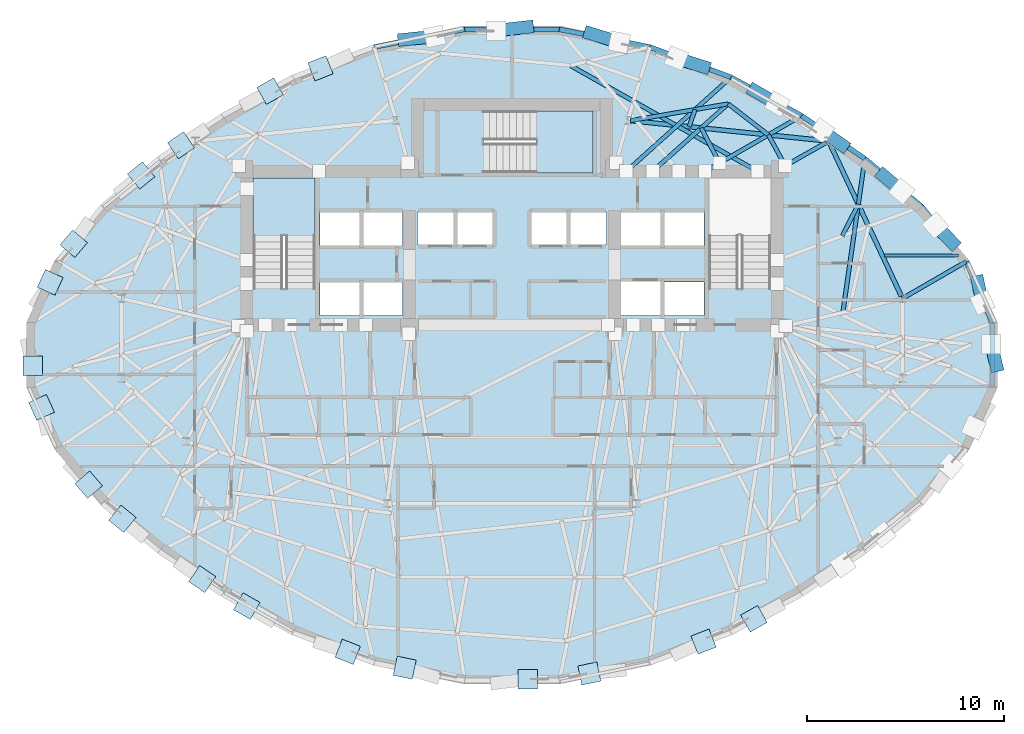
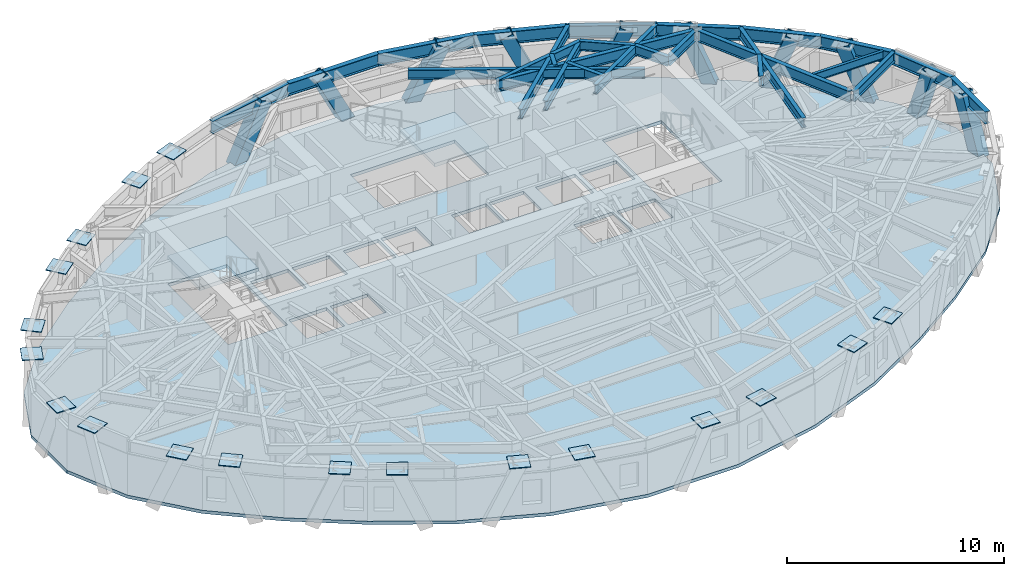
# One storey, part 4 of 14: 26 beams, 18 plates, 10 members, 3 slabs, 2 elements without a shape of their own.
"""IFC4 building model written with IfcOpenShell, lengths in metres."""

from ifc_helpers import new_model, si_unit, direction, frame, origin, origin_2d, place, context, subcontext, project, spatial, polyline, rectangle, hollow_rectangle, i_section, outline, extrude, material, layer, layer_set, material_profile, profile_set, type_object, element, aggregate, save


model = new_model("IFC4")

# Units and contexts
model_context = context("Model", 3, precision=1e-05, world=origin(), true_north=direction((0.0, 1.0)))
body_context = subcontext(model_context, "Body", "Model", "MODEL_VIEW")
ifc_project = project(units=[si_unit("LENGTHUNIT", "METRE"), si_unit("AREAUNIT", "SQUARE_METRE"), si_unit("VOLUMEUNIT", "CUBIC_METRE"), si_unit("PLANEANGLEUNIT", "RADIAN"), si_unit("MASSUNIT", "GRAM", prefix="KILO")], contexts=[model_context])

# Site, building, storey
site_placement = place(None, origin())
site = spatial("IfcSite", under=ifc_project, at=site_placement, CompositionType="ELEMENT")
building_placement = place(site_placement, origin())
building = spatial("IfcBuilding", under=site, at=building_placement, Name="Keldmark Tower", CompositionType="ELEMENT")
storey_placement = place(building_placement, frame((0.0, 0.0, 188.60009765625)))
storey = spatial("IfcBuildingStorey", under=building, at=storey_placement, Name="L52", CompositionType="ELEMENT", Elevation=188.60009765625)

# Beam
ifc_material_1 = material(Name="Steel ASTM A992 Grade 50", Category="steel")
ifc_material_profile_1 = material_profile(ifc_material_1, i_section(OverallWidth=0.153076171875, OverallDepth=0.455078125, WebThickness=0.008056640625, FlangeThickness=0.01318359375, at=origin_2d()), Name="W18X40")
ifc_profile_set_1 = profile_set([ifc_material_profile_1], Name="Steel ASTM A992 Grade 50")
beam_type_1 = type_object("IfcBeamType", Name="Composite Floor Joist W18X40", PredefinedType="JOIST", material=ifc_profile_set_1)
beam_1_placement = place(storey_placement, frame((18.927734375, 5.0400390625, 2.79248046875), z_axis=(1.0, 0.0, 0.0), x_axis=(0.0, 1.0, 0.0)))
element("IfcBeam", 1, at=beam_1_placement, inside=storey, type_object=beam_type_1, Name="L52 Composite Floor Joist J06", PredefinedType="JOIST", context=body_context, shape_type="SweptSolid", body=[
    extrude(i_section(OverallWidth=0.153076171875, OverallDepth=0.455078125, WebThickness=0.008056640625, FlangeThickness=0.01318359375, at=origin_2d()), origin(), (0.0, 0.0, 1.0), 3.74560546875),
])

# Members
ifc_material_2 = material(Name="Steel ASTM A572 Grade 50", Category="steel")
ifc_material_profile_2 = material_profile(ifc_material_2, hollow_rectangle(XDim=0.64990234375, YDim=0.64990234375, WallThickness=0.0400390625, at=origin_2d()), Name="BOX650X650X40")
ifc_profile_set_2 = profile_set([ifc_material_profile_2], Name="Steel ASTM A572 Grade 50")
member_type = type_object("IfcMemberType", Name="Diagrid Zone 3 Brace BOX650X650X40", PredefinedType="BRACE", material=ifc_profile_set_2)
member_1_placement = place(storey_placement, frame((23.652587890625, 3.72900390625, -0.260009765625), z_axis=(0.071621727205, -0.319267903228, 0.944954143946), x_axis=(0.975749330087, 0.218890942789, 0.0)))
element("IfcMember", 2, at=member_1_placement, inside=storey, type_object=member_type, Name="L52 Perimeter Diagrid Brace 01A", PredefinedType="BRACE", context=body_context, shape_type="SweptSolid", body=[
    extrude(hollow_rectangle(XDim=0.64990234375, YDim=0.64990234375, WallThickness=0.0400390625, at=origin_2d()), origin(), (0.0, 0.0, 1.0), 3.343994140625),
])
member_2_placement = place(storey_placement, frame((22.389892578125, 5.688720703125, -0.260009765625), z_axis=(-0.261277019775, 0.264647873448, 0.928275725212), x_axis=(-0.711624282158, -0.702560233036, 0.0)))
element("IfcMember", 3, at=member_2_placement, inside=storey, type_object=member_type, Name="L52 Perimeter Diagrid Brace 01B", PredefinedType="BRACE", context=body_context, shape_type="SweptSolid", body=[
    extrude(hollow_rectangle(XDim=0.64990234375, YDim=0.64990234375, WallThickness=0.0400390625, at=origin_2d()), origin(), (0.0, 0.0, 1.0), 3.404052734375),
])
member_3_placement = place(storey_placement, frame((18.838623046875, 9.13330078125, -0.260009765625), z_axis=(0.279745949468, -0.239084365647, 0.929828408826), x_axis=(0.64969745791, 0.760192878936, 0.0)))
element("IfcMember", 4, at=member_3_placement, inside=storey, type_object=member_type, Name="L52 Perimeter Diagrid Brace 02A", PredefinedType="BRACE", context=body_context, shape_type="SweptSolid", body=[
    extrude(hollow_rectangle(XDim=0.64990234375, YDim=0.64990234375, WallThickness=0.0400390625, at=origin_2d()), origin(), (0.0, 0.0, 1.0), 3.3984375),
])
member_4_placement = place(storey_placement, frame((16.7890625, 10.649658203125, -0.260009765625), z_axis=(-0.309875407308, 0.215431736644, 0.926048810157), x_axis=(-0.570825617278, -0.821071321299, 0.0)))
element("IfcMember", 5, at=member_4_placement, inside=storey, type_object=member_type, Name="L52 Perimeter Diagrid Brace 02B", PredefinedType="BRACE", context=body_context, shape_type="SweptSolid", body=[
    extrude(hollow_rectangle(XDim=0.64990234375, YDim=0.64990234375, WallThickness=0.0400390625, at=origin_2d()), origin(), (0.0, 0.0, 1.0), 3.412353515625),
])
member_5_placement = place(storey_placement, frame((12.29443359375, 13.42919921875, -0.260009765625), z_axis=(0.342636637572, -0.19626896683, 0.918737518148), x_axis=(0.497048550318, 0.867722731422, 0.0)))
element("IfcMember", 6, at=member_5_placement, inside=storey, type_object=member_type, Name="L52 Perimeter Diagrid Brace 03A", PredefinedType="BRACE", context=body_context, shape_type="SweptSolid", body=[
    extrude(hollow_rectangle(XDim=0.64990234375, YDim=0.64990234375, WallThickness=0.0400390625, at=origin_2d()), origin(), (0.0, 0.0, 1.0), 3.439453125),
])
member_6_placement = place(storey_placement, frame((9.755859375, 14.6279296875, -0.260009765625), z_axis=(-0.404763242543, 0.127878881329, 0.905435646082), x_axis=(-0.301257561083, -0.953542805484, 0.0)))
element("IfcMember", 7, at=member_6_placement, inside=storey, type_object=member_type, Name="L52 Perimeter Diagrid Brace 03B", PredefinedType="BRACE", context=body_context, shape_type="SweptSolid", body=[
    extrude(hollow_rectangle(XDim=0.64990234375, YDim=0.64990234375, WallThickness=0.0400390625, at=origin_2d()), origin(), (0.0, 0.0, 1.0), 3.489990234375),
])
member_7_placement = place(storey_placement, frame((3.951416015625, 16.338623046875, -0.260009765625), z_axis=(0.424530632267, -0.129740770526, 0.896069793448), x_axis=(0.292266082195, 0.956337041633, 0.0)))
element("IfcMember", 8, at=member_7_placement, inside=storey, type_object=member_type, Name="L52 Perimeter Diagrid Brace 04A", PredefinedType="BRACE", context=body_context, shape_type="SweptSolid", body=[
    extrude(hollow_rectangle(XDim=0.64990234375, YDim=0.64990234375, WallThickness=0.0400390625, at=origin_2d()), origin(), (0.0, 0.0, 1.0), 3.5263671875),
])
member_8_placement = place(storey_placement, frame((0.8037109375, 16.656982421875, -0.260009765625), z_axis=(-0.45353285388, -0.050461287668, 0.889809872331), x_axis=(0.110580342005, -0.993867188291, 0.0)))
element("IfcMember", 9, at=member_8_placement, inside=storey, type_object=member_type, Name="L52 Perimeter Diagrid Brace 04B", PredefinedType="BRACE", context=body_context, shape_type="SweptSolid", body=[
    extrude(hollow_rectangle(XDim=0.64990234375, YDim=0.64990234375, WallThickness=0.0400390625, at=origin_2d()), origin(), (0.0, 0.0, 1.0), 3.55126953125),
])
member_9_placement = place(storey_placement, frame((-5.50341796875, 16.015869140625, -0.260009765625), z_axis=(0.445608318468, 0.045935441293, 0.894048746851), x_axis=(-0.102541405992, 0.994728736921, 0.0)))
element("IfcMember", 10, at=member_9_placement, inside=storey, type_object=member_type, Name="L52 Perimeter Diagrid Brace 05A", PredefinedType="BRACE", context=body_context, shape_type="SweptSolid", body=[
    extrude(hollow_rectangle(XDim=0.64990234375, YDim=0.64990234375, WallThickness=0.0400390625, at=origin_2d()), origin(), (0.0, 0.0, 1.0), 3.534423828125),
])
member_10_placement = place(storey_placement, frame((24.598388671875, -0.54296875, -0.260009765625), z_axis=(-0.078840732704, 0.325554715285, 0.942230474047), x_axis=(-0.971905872093, -0.235369870187, 0.0)))
element("IfcMember", 11, at=member_10_placement, inside=storey, type_object=member_type, Name="L52 Perimeter Diagrid Brace 16B", PredefinedType="BRACE", context=body_context, shape_type="SweptSolid", body=[
    extrude(hollow_rectangle(XDim=0.64990234375, YDim=0.64990234375, WallThickness=0.0400390625, at=origin_2d()), origin(), (0.0, 0.0, 1.0), 3.353759765625),
])

# Beams
ifc_material_3 = material(Name="Steel ASTM A992 Grade 50", Category="steel")
ifc_material_profile_3 = material_profile(ifc_material_3, i_section(OverallWidth=0.22900390625, OverallDepth=0.612060546875, WebThickness=0.011962890625, FlangeThickness=0.01953125, at=origin_2d()), Name="W24X84")
ifc_profile_set_3 = profile_set([ifc_material_profile_3], Name="Steel ASTM A992 Grade 50")
beam_type_2 = type_object("IfcBeamType", Name="Primary Floor Girder W24X84", PredefinedType="BEAM", material=ifc_profile_set_3)
beam_2_placement = place(storey_placement, frame((19.76904296875, 2.99609375, 2.7138671875), z_axis=(-0.424526823774, 0.905415360979, 0.0), x_axis=(-0.905415360979, -0.424526823774, 0.0)))
element("IfcBeam", 12, at=beam_2_placement, inside=storey, type_object=beam_type_2, Name="L52 Floor Ring Girder FG-R01", PredefinedType="BEAM", context=body_context, shape_type="SweptSolid", body=[
    extrude(i_section(OverallWidth=0.22900390625, OverallDepth=0.612060546875, WebThickness=0.011962890625, FlangeThickness=0.01953125, at=origin_2d()), origin(), (0.0, 0.0, 1.0), 8.54638671875),
])
beam_3_placement = place(storey_placement, frame((15.942138671875, 10.87548828125, 2.7138671875), z_axis=(-0.994702930931, 0.102791435423, 0.0), x_axis=(-0.102791435423, -0.994702930931, 0.0)))
element("IfcBeam", 13, at=beam_3_placement, inside=storey, type_object=beam_type_2, Name="L52 Floor Ring Girder FG-R02", PredefinedType="BEAM", context=body_context, shape_type="SweptSolid", body=[
    extrude(i_section(OverallWidth=0.22900390625, OverallDepth=0.612060546875, WebThickness=0.011962890625, FlangeThickness=0.01953125, at=origin_2d()), origin(), (0.0, 0.0, 1.0), 9.975341796875),
])
ifc_material_4 = material(Name="Steel ASTM A992 Grade 50", Category="steel")
ifc_material_profile_4 = material_profile(ifc_material_4, i_section(OverallWidth=0.2099609375, OverallDepth=0.537109375, WebThickness=0.010986328125, FlangeThickness=0.017333984375, at=origin_2d()), Name="W21X68")
ifc_profile_set_4 = profile_set([ifc_material_profile_4], Name="Steel ASTM A992 Grade 50")
beam_type_3 = type_object("IfcBeamType", Name="Radial Tie Girder W21X68", PredefinedType="BEAM", material=ifc_profile_set_4)
beam_4_placement = place(storey_placement, frame((15.959716796875, 10.791748046875, 2.75146484375), z_axis=(-0.86929527307, -0.494293160197, 0.0), x_axis=(0.494293160197, -0.86929527307, 0.0)))
element("IfcBeam", 14, at=beam_4_placement, inside=storey, type_object=beam_type_3, Name="L52 Floor Radial Girder FG-C02", PredefinedType="BEAM", context=body_context, shape_type="SweptSolid", body=[
    extrude(i_section(OverallWidth=0.2099609375, OverallDepth=0.537109375, WebThickness=0.010986328125, FlangeThickness=0.017333984375, at=origin_2d()), origin(), (0.0, 0.0, 1.0), 2.39453125),
])
beam_5_placement = place(storey_placement, frame((19.828369140625, 2.869140625, 2.75146484375), z_axis=(0.865528975571, 0.500858854816, 0.0), x_axis=(-0.500858854816, 0.865528975571, 0.0)))
element("IfcBeam", 15, at=beam_5_placement, inside=storey, type_object=beam_type_3, Name="L52 Perimeter Column Bracket RT-02", PredefinedType="BEAM", context=body_context, shape_type="SweptSolid", body=[
    extrude(i_section(OverallWidth=0.2099609375, OverallDepth=0.537109375, WebThickness=0.010986328125, FlangeThickness=0.017333984375, at=origin_2d()), origin(), (0.0, 0.0, 1.0), 3.7431640625),
])
beam_6_placement = place(storey_placement, frame((16.772705078125, 6.0439453125, 2.75146484375), z_axis=(0.453120568902, 0.891449241425, 0.0), x_axis=(-0.891449241425, 0.453120568902, 0.0)))
element("IfcBeam", 16, at=beam_6_placement, inside=storey, type_object=beam_type_3, Name="L52 Framing Pin Header PH-014", PredefinedType="BEAM", context=body_context, shape_type="SweptSolid", body=[
    extrude(i_section(OverallWidth=0.2099609375, OverallDepth=0.537109375, WebThickness=0.010986328125, FlangeThickness=0.017333984375, at=origin_2d()), origin(), (0.0, 0.0, 1.0), 1.799072265625),
])
beam_7_placement = place(storey_placement, frame((16.8017578125, 2.1552734375, 2.75146484375), z_axis=(0.141694101191, 0.989910491756, 0.0), x_axis=(-0.989910491756, 0.141694101191, 0.0)))
element("IfcBeam", 17, at=beam_7_placement, inside=storey, type_object=beam_type_3, Name="L52 Perimeter Radial Tie Girder RT-04", PredefinedType="BEAM", context=body_context, shape_type="SweptSolid", body=[
    extrude(i_section(OverallWidth=0.2099609375, OverallDepth=0.537109375, WebThickness=0.010986328125, FlangeThickness=0.017333984375, at=origin_2d()), origin(), (0.0, 0.0, 1.0), 7.894775390625),
])
beam_8_placement = place(storey_placement, frame((13.878173828125, 9.608154296875, 2.75146484375), z_axis=(-0.47988457193, 0.877331634916, 0.0), x_axis=(-0.877331634916, -0.47988457193, 0.0)))
element("IfcBeam", 18, at=beam_8_placement, inside=storey, type_object=beam_type_3, Name="L52 Framing Pin Header PH-015", PredefinedType="BEAM", context=body_context, shape_type="SweptSolid", body=[
    extrude(i_section(OverallWidth=0.2099609375, OverallDepth=0.537109375, WebThickness=0.010986328125, FlangeThickness=0.017333984375, at=origin_2d()), origin(), (0.0, 0.0, 1.0), 1.788818359375),
])
beam_9_placement = place(storey_placement, frame((9.8037109375, 9.324951171875, 2.75146484375), z_axis=(0.866528023076, 0.499128425581, 0.0), x_axis=(-0.499128425581, 0.866528023076, 0.0)))
element("IfcBeam", 19, at=beam_9_placement, inside=storey, type_object=beam_type_3, Name="L52 Perimeter Radial Tie Girder RT-05", PredefinedType="BEAM", context=body_context, shape_type="SweptSolid", body=[
    extrude(i_section(OverallWidth=0.2099609375, OverallDepth=0.537109375, WebThickness=0.010986328125, FlangeThickness=0.017333984375, at=origin_2d()), origin(), (0.0, 0.0, 1.0), 5.658203125),
])
beam_10_placement = place(storey_placement, frame((10.5390625, 9.74853515625, 2.75146484375), z_axis=(-0.462603381285, 0.886565345377, 0.0), x_axis=(-0.886565345377, -0.462603381285, 0.0)))
element("IfcBeam", 20, at=beam_10_placement, inside=storey, type_object=beam_type_3, Name="L52 Framing Pin Header PH-016", PredefinedType="BEAM", context=body_context, shape_type="SweptSolid", body=[
    extrude(i_section(OverallWidth=0.2099609375, OverallDepth=0.537109375, WebThickness=0.010986328125, FlangeThickness=0.017333984375, at=origin_2d()), origin(), (0.0, 0.0, 1.0), 2.00927734375),
])
beam_11_placement = place(storey_placement, frame((7.139404296875, 9.324951171875, 2.75146484375), z_axis=(0.746023488169, 0.665919631112, 0.0), x_axis=(-0.665919631112, 0.746023488169, 0.0)))
element("IfcBeam", 21, at=beam_11_placement, inside=storey, type_object=beam_type_3, Name="L52 Intermediate Radial Step Girder RT-06M", PredefinedType="BEAM", context=body_context, shape_type="SweptSolid", body=[
    extrude(i_section(OverallWidth=0.2099609375, OverallDepth=0.537109375, WebThickness=0.010986328125, FlangeThickness=0.017333984375, at=origin_2d()), origin(), (0.0, 0.0, 1.0), 5.147705078125),
])
beam_12_placement = place(storey_placement, frame((13.019775390625, 11.177490234375, 2.75146484375), z_axis=(-0.791464110774, 0.611215642272, 0.0), x_axis=(-0.611215642272, -0.791464110774, 0.0)))
element("IfcBeam", 22, at=beam_12_placement, inside=storey, type_object=beam_type_3, Name="L52 Local Collector Chord RT-06C", PredefinedType="BEAM", context=body_context, shape_type="SweptSolid", body=[
    extrude(i_section(OverallWidth=0.2099609375, OverallDepth=0.537109375, WebThickness=0.010986328125, FlangeThickness=0.017333984375, at=origin_2d()), origin(), (0.0, 0.0, 1.0), 2.57763671875),
])
beam_13_placement = place(storey_placement, frame((10.979736328125, 12.7529296875, 2.75146484375), z_axis=(-0.985564956421, -0.169297716095, 0.0), x_axis=(0.169297716095, -0.985564956421, 0.0)))
element("IfcBeam", 23, at=beam_13_placement, inside=storey, type_object=beam_type_3, Name="L52 Straddling Support Chord RT-06RB", PredefinedType="BEAM", context=body_context, shape_type="SweptSolid", body=[
    extrude(i_section(OverallWidth=0.2099609375, OverallDepth=0.537109375, WebThickness=0.010986328125, FlangeThickness=0.017333984375, at=origin_2d()), origin(), (0.0, 0.0, 1.0), 5.032958984375),
])
beam_14_placement = place(storey_placement, frame((8.996337890625, 11.59326171875, 2.75146484375), z_axis=(0.326309263751, 0.945263066236, 0.0), x_axis=(-0.945263066236, 0.326309263751, 0.0)))
element("IfcBeam", 24, at=beam_14_placement, inside=storey, type_object=beam_type_3, Name="L52 Framing Pin Header PH-033", PredefinedType="BEAM", context=body_context, shape_type="SweptSolid", body=[
    extrude(i_section(OverallWidth=0.2099609375, OverallDepth=0.537109375, WebThickness=0.010986328125, FlangeThickness=0.017333984375, at=origin_2d()), origin(), (0.0, 0.0, 1.0), 0.9208984375),
])
beam_15_placement = place(storey_placement, frame((5.80712890625, 9.324951171875, 2.75146484375), z_axis=(0.743482706794, 0.668755160502, 0.0), x_axis=(-0.668755160502, 0.743482706794, 0.0)))
element("IfcBeam", 25, at=beam_15_placement, inside=storey, type_object=beam_type_3, Name="L52 Perimeter Radial Tie Girder RT-06R", PredefinedType="BEAM", context=body_context, shape_type="SweptSolid", body=[
    extrude(i_section(OverallWidth=0.2099609375, OverallDepth=0.537109375, WebThickness=0.010986328125, FlangeThickness=0.017333984375, at=origin_2d()), origin(), (0.0, 0.0, 1.0), 7.14501953125),
])
beam_16_placement = place(storey_placement, frame((12.468017578125, 9.324951171875, 2.75146484375), z_axis=(-0.870393920882, 0.492355991628, 0.0), x_axis=(-0.492355991628, -0.870393920882, 0.0)))
element("IfcBeam", 26, at=beam_16_placement, inside=storey, type_object=beam_type_3, Name="L52 Crown Step Radial Girder RT-08RN2", PredefinedType="BEAM", context=body_context, shape_type="SweptSolid", body=[
    extrude(i_section(OverallWidth=0.2099609375, OverallDepth=0.537109375, WebThickness=0.010986328125, FlangeThickness=0.017333984375, at=origin_2d()), origin(), (0.0, 0.0, 1.0), 10.932373046875),
])
ifc_material_5 = material(Name="Steel ASTM A992 Grade 50", Category="steel")
ifc_material_profile_5 = material_profile(ifc_material_5, i_section(OverallWidth=0.256103515625, OverallDepth=0.693115234375, WebThickness=0.014404296875, FlangeThickness=0.023681640625, at=origin_2d()), Name="W27X114")
ifc_profile_set_5 = profile_set([ifc_material_profile_5], Name="Steel ASTM A992 Grade 50")
beam_type_4 = type_object("IfcBeamType", Name="Spandrel Ring Beam W27X114", PredefinedType="SPANDREL", material=ifc_profile_set_5)
beam_17_placement = place(storey_placement, frame((24.3935546875, 1.62890625, 2.67333984375), z_axis=(-0.391533077768, 0.920164033753, 0.0), x_axis=(-0.920164033753, -0.391533077768, 0.0)))
element("IfcBeam", 27, at=beam_17_placement, inside=storey, type_object=beam_type_4, Name="L52 Perimeter Spandrel Ring Beam SRB-01", PredefinedType="SPANDREL", context=body_context, shape_type="SweptSolid", body=[
    extrude(i_section(OverallWidth=0.256103515625, OverallDepth=0.693115234375, WebThickness=0.014404296875, FlangeThickness=0.023681640625, at=origin_2d()), origin(), (0.0, 0.0, 1.0), 3.38525390625),
])
beam_18_placement = place(storey_placement, frame((23.068115234375, 4.743896484375, 2.67333984375), z_axis=(-0.629697919329, 0.776840093193, 0.0), x_axis=(-0.776840093193, -0.629697919329, 0.0)))
element("IfcBeam", 28, at=beam_18_placement, inside=storey, type_object=beam_type_4, Name="L52 Perimeter Spandrel Ring Beam SRB-02", PredefinedType="SPANDREL", context=body_context, shape_type="SweptSolid", body=[
    extrude(i_section(OverallWidth=0.256103515625, OverallDepth=0.693115234375, WebThickness=0.014404296875, FlangeThickness=0.023681640625, at=origin_2d()), origin(), (0.0, 0.0, 1.0), 3.59716796875),
])
beam_19_placement = place(storey_placement, frame((20.802978515625, 7.538330078125, 2.67333984375), z_axis=(-0.764296468588, 0.64486503092, 0.0), x_axis=(-0.64486503092, -0.764296468588, 0.0)))
element("IfcBeam", 29, at=beam_19_placement, inside=storey, type_object=beam_type_4, Name="L52 Perimeter Spandrel Ring Beam SRB-03", PredefinedType="SPANDREL", context=body_context, shape_type="SweptSolid", body=[
    extrude(i_section(OverallWidth=0.256103515625, OverallDepth=0.693115234375, WebThickness=0.014404296875, FlangeThickness=0.023681640625, at=origin_2d()), origin(), (0.0, 0.0, 1.0), 3.771484375),
])
beam_20_placement = place(storey_placement, frame((17.92041015625, 9.970458984375, 2.67333984375), z_axis=(-0.827710478333, 0.561155383168, 0.0), x_axis=(-0.561155383168, -0.827710478333, 0.0)))
element("IfcBeam", 30, at=beam_20_placement, inside=storey, type_object=beam_type_4, Name="L52 Perimeter Spandrel Ring Beam SRB-04", PredefinedType="SPANDREL", context=body_context, shape_type="SweptSolid", body=[
    extrude(i_section(OverallWidth=0.256103515625, OverallDepth=0.693115234375, WebThickness=0.014404296875, FlangeThickness=0.023681640625, at=origin_2d()), origin(), (0.0, 0.0, 1.0), 3.882568359375),
])
beam_21_placement = place(storey_placement, frame((14.706787109375, 12.149169921875, 2.67333984375), z_axis=(-0.878169505213, 0.478349579402, 0.0), x_axis=(-0.478349579402, -0.878169505213, 0.0)))
element("IfcBeam", 31, at=beam_21_placement, inside=storey, type_object=beam_type_4, Name="L52 Perimeter Spandrel Ring Beam SRB-05", PredefinedType="SPANDREL", context=body_context, shape_type="SweptSolid", body=[
    extrude(i_section(OverallWidth=0.256103515625, OverallDepth=0.693115234375, WebThickness=0.014404296875, FlangeThickness=0.023681640625, at=origin_2d()), origin(), (0.0, 0.0, 1.0), 4.085205078125),
])
beam_22_placement = place(storey_placement, frame((11.119384765625, 14.103271484375, 2.67333984375), z_axis=(-0.937077486277, 0.34912144694, 0.0), x_axis=(-0.34912144694, -0.937077486277, 0.0)))
element("IfcBeam", 32, at=beam_22_placement, inside=storey, type_object=beam_type_4, Name="L52 Perimeter Spandrel Ring Beam SRB-06", PredefinedType="SPANDREL", context=body_context, shape_type="SweptSolid", body=[
    extrude(i_section(OverallWidth=0.256103515625, OverallDepth=0.693115234375, WebThickness=0.014404296875, FlangeThickness=0.023681640625, at=origin_2d()), origin(), (0.0, 0.0, 1.0), 4.398681640625),
])
beam_23_placement = place(storey_placement, frame((6.99755859375, 15.638916015625, 2.67333984375), z_axis=(-0.981406109785, 0.191942823979, 0.0), x_axis=(-0.191942823979, -0.981406109785, 0.0)))
element("IfcBeam", 33, at=beam_23_placement, inside=storey, type_object=beam_type_4, Name="L52 Perimeter Spandrel Ring Beam SRB-07", PredefinedType="SPANDREL", context=body_context, shape_type="SweptSolid", body=[
    extrude(i_section(OverallWidth=0.256103515625, OverallDepth=0.693115234375, WebThickness=0.014404296875, FlangeThickness=0.023681640625, at=origin_2d()), origin(), (0.0, 0.0, 1.0), 4.68212890625),
])
beam_24_placement = place(storey_placement, frame((2.402587890625, 16.53759765625, 2.67333984375), z_axis=(-1.0, 0.0, 0.0), x_axis=(0.0, -1.0, 0.0)))
element("IfcBeam", 34, at=beam_24_placement, inside=storey, type_object=beam_type_4, Name="L52 Perimeter Spandrel Ring Beam SRB-08", PredefinedType="SPANDREL", context=body_context, shape_type="SweptSolid", body=[
    extrude(i_section(OverallWidth=0.256103515625, OverallDepth=0.693115234375, WebThickness=0.014404296875, FlangeThickness=0.023681640625, at=origin_2d()), origin(), (0.0, 0.0, 1.0), 4.80517578125),
])
beam_25_placement = place(storey_placement, frame((-2.402587890625, 16.53759765625, 2.67333984375), z_axis=(-0.981406109785, -0.191942823979, 0.0), x_axis=(0.191942823979, -0.981406109785, 0.0)))
element("IfcBeam", 35, at=beam_25_placement, inside=storey, type_object=beam_type_4, Name="L52 Perimeter Spandrel Ring Beam SRB-09", PredefinedType="SPANDREL", context=body_context, shape_type="SweptSolid", body=[
    extrude(i_section(OverallWidth=0.256103515625, OverallDepth=0.693115234375, WebThickness=0.014404296875, FlangeThickness=0.023681640625, at=origin_2d()), origin(), (0.0, 0.0, 1.0), 4.68212890625),
])
beam_26_placement = place(storey_placement, frame((24.3935546875, -1.62890625, 2.67333984375), z_axis=(0.0, 1.0, 0.0), x_axis=(-1.0, 0.0, 0.0)))
element("IfcBeam", 36, at=beam_26_placement, inside=storey, type_object=beam_type_4, Name="L52 Perimeter Spandrel Ring Beam SRB-32", PredefinedType="SPANDREL", context=body_context, shape_type="SweptSolid", body=[
    extrude(i_section(OverallWidth=0.256103515625, OverallDepth=0.693115234375, WebThickness=0.014404296875, FlangeThickness=0.023681640625, at=origin_2d()), origin(), (0.0, 0.0, 1.0), 3.2578125),
])

# Plates
ifc_material_6 = material(Name="Steel ASTM A572 Grade 50", Category="steel")
ifc_layer_1 = layer(ifc_material_6, 0.044921875)
ifc_layer_set_1 = layer_set([ifc_layer_1], Name="Steel ASTM A572 Grade 50")
plate_type = type_object("IfcPlateType", Name="Diagrid Node Assembly DN04 45 mm", PredefinedType="USERDEFINED", material=ifc_layer_set_1)
for number, where, z_axis, x_axis, name in (
    (37, (-9.72802734375, 14.557861328125, 2.87744140625), (0.0, 0.0, 1.0), (-0.930800856941, -0.365526694947, 0.0), "L52 Diagrid Node Assembly 10"),
    (38, (-12.286865234375, 13.39892578125, 2.87744140625), (0.0, 0.0, 1.0), (-0.87035569594, -0.492423560103, 0.0), "L52 Diagrid Node Assembly 11"),
    (39, (-16.81103515625, 10.650390625, 2.87744140625), (0.0, 0.0, 1.0), (-0.827766671236, -0.56107248907, 0.0), "L52 Diagrid Node Assembly 12"),
    (40, (-18.834716796875, 9.12158203125, 2.87744140625), (0.0, 0.0, 1.0), (-0.77615646894, -0.630540352177, 0.0), "L52 Diagrid Node Assembly 13"),
    (41, (-22.260009765625, 5.647216796875, 2.87744140625), (0.0, 0.0, 1.0), (-0.649713440513, -0.760179219143, 0.0), "L52 Diagrid Node Assembly 14"),
    (42, (-23.452392578125, 3.688232421875, 2.87744140625), (0.0, 0.0, 1.0), (-0.412627540369, -0.910899836935, 0.0), "L52 Diagrid Node Assembly 15"),
    (43, (-24.333984375, -0.548828125, 2.87744140625), (0.0, 0.0, 1.0), (0.0, -1.0, 0.0), "L52 Diagrid Node Assembly 16"),
    (44, (-23.89208984375, -2.661376953125, 2.87744140625), (0.0, 0.0, 1.0), (0.412627540369, -0.910899836935, 0.0), "L52 Diagrid Node Assembly 17"),
    (45, (-21.50048828125, -6.589599609375, 2.87744140625), (0.0, 0.0, 1.0), (0.649713440513, -0.760179219143, 0.0), "L52 Diagrid Node Assembly 18"),
    (46, (-19.789306640625, -8.32080078125, 2.87744140625), (0.0, 0.0, 1.0), (0.77615646894, -0.630540352177, 0.0), "L52 Diagrid Node Assembly 19"),
    (47, (-15.731689453125, -11.384765625, 2.87744140625), (0.0, 0.0, 1.0), (0.827766671236, -0.56107248907, 0.0), "L52 Diagrid Node Assembly 20"),
    (48, (-13.472900390625, -12.754150390625, 2.87744140625), (0.0, 0.0, 1.0), (0.87035569594, -0.492423560103, 0.0), "L52 Diagrid Node Assembly 21"),
    (49, (-8.34326171875, -15.07421875, 2.87744140625), (0.0, 0.0, 1.0), (0.930800856941, -0.365526694947, 0.0), "L52 Diagrid Node Assembly 22"),
    (50, (-5.448486328125, -15.881103515625, 2.87744140625), (0.0, 0.0, 1.0), (0.979009915383, -0.203812623708, 0.0), "L52 Diagrid Node Assembly 23"),
    (51, (0.806884765625, -16.477783203125, 2.87744140625), (0.0, 0.0, 1.0), (1.0, 0.0, 0.0), "L52 Diagrid Node Assembly 24"),
    (52, (3.928466796875, -16.17822265625, 2.87744140625), (0.0, 0.0, 1.0), (0.979009915383, 0.203812623708, 0.0), "L52 Diagrid Node Assembly 25"),
    (53, (9.72802734375, -14.557861328125, 2.87744140625), (0.0, 0.0, 1.0), (0.930800856941, 0.365526694947, 0.0), "L52 Diagrid Node Assembly 26"),
    (54, (12.286865234375, -13.39892578125, 2.87744140625), (0.0, 0.0, 1.0), (0.87035569594, 0.492423560103, 0.0), "L52 Diagrid Node Assembly 27"),
):
    element("IfcPlate", number, at=place(storey_placement, frame(where, z_axis=z_axis, x_axis=x_axis)), inside=storey, type_object=plate_type, Name=name, ObjectType="GUSSET", PredefinedType="USERDEFINED", context=body_context, shape_type="SweptSolid", body=[
        extrude(rectangle(XDim=0.989990234375, YDim=0.989990234375, at=origin_2d()), origin(), (0.0, 0.0, 1.0), 0.044921875),
    ])

# Slab
ifc_material_7 = material(Name="Concrete C35/45", Category="concrete")
ifc_layer_2 = layer(ifc_material_7, 0.179931640625)
ifc_layer_set_2 = layer_set([ifc_layer_2], Name="Concrete C35/45")
slab_type_1 = type_object("IfcSlabType", Name="Hotel and Residential Slab 180 mm", PredefinedType="FLOOR", material=ifc_layer_set_2)
slab_1_placement = place(storey_placement, frame((0.0, 0.0, -0.18017578125)))
element("IfcSlab", 55, at=slab_1_placement, inside=storey, type_object=slab_type_1, Name="L52 Composite Structural Floor Slab", PredefinedType="FLOOR", context=body_context, shape_type="SweptSolid", body=[
    extrude(outline(polyline([(24.658203125, 1.646484375), (23.2392578125, 4.779296875), (20.86279296875, 7.56005859375), (17.90576171875, 9.962158203125), (14.69482421875, 12.138916015625), (11.151611328125, 14.143798828125), (7.049560546875, 15.7548828125), (2.4287109375, 16.716796875), (-2.4287109375, 16.716796875), (-7.049560546875, 15.7548828125), (-11.151611328125, 14.143798828125), (-14.69482421875, 12.138916015625), (-17.90576171875, 9.962158203125), (-20.86279296875, 7.56005859375), (-23.2392578125, 4.779296875), (-24.658203125, 1.646484375), (-24.658203125, -1.646484375), (-23.2392578125, -4.779296875), (-20.86279296875, -7.56005859375), (-17.90576171875, -9.962158203125), (-14.69482421875, -12.138916015625), (-11.151611328125, -14.143798828125), (-7.049560546875, -15.7548828125), (-2.4287109375, -16.716796875), (2.4287109375, -16.716796875), (7.049560546875, -15.7548828125), (11.151611328125, -14.143798828125), (14.69482421875, -12.138916015625), (17.90576171875, -9.962158203125), (20.86279296875, -7.56005859375), (23.2392578125, -4.779296875), (24.658203125, -1.646484375), (24.658203125, 1.646484375)]), holes=[polyline([(-10.0, 3.385009765625), (-10.0, 9.0), (-13.14990234375, 9.0), (-13.14990234375, 3.385009765625), (-10.0, 3.385009765625)]), polyline([(13.14990234375, 3.385009765625), (13.14990234375, 9.0), (10.0, 9.0), (10.0, 3.385009765625), (13.14990234375, 3.385009765625)]), polyline([(-1.43994140625, 9.25), (4.10498046875, 9.25), (4.10498046875, 12.39990234375), (-1.43994140625, 12.39990234375), (-1.43994140625, 9.25)]), polyline([(-9.75, 2.0), (-7.75, 2.0), (-7.75, 3.699951171875), (-9.75, 3.699951171875), (-9.75, 2.0)]), polyline([(7.75, 2.0), (9.75, 2.0), (9.75, 3.699951171875), (7.75, 3.699951171875), (7.75, 2.0)]), polyline([(5.449951171875, 2.0), (7.550048828125, 2.0), (7.550048828125, 3.75), (5.449951171875, 3.75), (5.449951171875, 2.0)]), polyline([(-4.800048828125, 5.60009765625), (-2.949951171875, 5.60009765625), (-2.949951171875, 7.25), (-4.800048828125, 7.25), (-4.800048828125, 5.60009765625)]), polyline([(-2.800048828125, 5.60009765625), (-0.949951171875, 5.60009765625), (-0.949951171875, 7.25), (-2.800048828125, 7.25), (-2.800048828125, 5.60009765625)]), polyline([(0.949951171875, 5.60009765625), (2.800048828125, 5.60009765625), (2.800048828125, 7.25), (0.949951171875, 7.25), (0.949951171875, 5.60009765625)]), polyline([(2.949951171875, 5.60009765625), (4.800048828125, 5.60009765625), (4.800048828125, 7.25), (2.949951171875, 7.25), (2.949951171875, 5.60009765625)]), polyline([(-9.75, 5.550048828125), (-7.75, 5.550048828125), (-7.75, 7.25), (-9.75, 7.25), (-9.75, 5.550048828125)]), polyline([(-7.550048828125, 5.550048828125), (-5.550048828125, 5.550048828125), (-5.550048828125, 7.25), (-7.550048828125, 7.25), (-7.550048828125, 5.550048828125)]), polyline([(-7.550048828125, 2.0), (-5.550048828125, 2.0), (-5.550048828125, 3.699951171875), (-7.550048828125, 3.699951171875), (-7.550048828125, 2.0)]), polyline([(5.449951171875, 5.550048828125), (7.550048828125, 5.550048828125), (7.550048828125, 7.25), (5.449951171875, 7.25), (5.449951171875, 5.550048828125)]), polyline([(7.75, 5.550048828125), (9.75, 5.550048828125), (9.75, 7.25), (7.75, 7.25), (7.75, 5.550048828125)])]), origin(), (0.0, 0.0, 1.0), 0.18017578125),
])

# Stair, slab
ifc_material_8 = material(Name="Concrete C40/50", Category="concrete")
stair_type = type_object("IfcStairType", Name="Precast Concrete Core Exit Stair", PredefinedType="HALF_TURN_STAIR", material=ifc_material_8)
stair_1_placement = place(storey_placement, origin())
stair_1 = element("IfcStair", 56, at=stair_1_placement, inside=storey, type_object=stair_type, Name="L52 Exit Stair ST1", PredefinedType="HALF_TURN_STAIR")
ifc_material_9 = material(Name="Concrete C40/50", Category="concrete")
ifc_layer_3 = layer(ifc_material_9, 0.199951171875)
ifc_layer_set_3 = layer_set([ifc_layer_3], Name="Concrete C40/50")
slab_type_2 = type_object("IfcSlabType", Name="Reinforced Concrete Stair Landing 200 mm", PredefinedType="LANDING", material=ifc_layer_set_3)
slab_2_placement = place(storey_placement, frame((0.0, 0.0, 1.39990234375)))
slab_2 = element("IfcSlab", 57, at=slab_2_placement, type_object=slab_type_2, Name="ST1 landing 1", PredefinedType="LANDING", context=body_context, shape_type="SweptSolid", body=[
    extrude(outline(polyline([(-10.0, 6.050048828125), (-10.0, 9.0), (-13.14990234375, 9.0), (-13.14990234375, 6.050048828125), (-10.0, 6.050048828125)])), origin(), (0.0, 0.0, 1.0), 0.199951171875),
])
aggregate(stair_1, [slab_2])

stair_2_placement = place(storey_placement, origin())
stair_2 = element("IfcStair", 58, at=stair_2_placement, inside=storey, type_object=stair_type, Name="L52 Exit Stair ST3", PredefinedType="HALF_TURN_STAIR")
slab_3_placement = place(storey_placement, frame((0.0, 0.0, 1.39990234375)))
slab_3 = element("IfcSlab", 59, at=slab_3_placement, type_object=slab_type_2, Name="ST3 landing 1", PredefinedType="LANDING", context=body_context, shape_type="SweptSolid", body=[
    extrude(outline(polyline([(1.22509765625, 9.25), (4.10498046875, 9.25), (4.10498046875, 12.39990234375), (1.22509765625, 12.39990234375), (1.22509765625, 9.25)])), origin(), (0.0, 0.0, 1.0), 0.199951171875),
])
aggregate(stair_2, [slab_3])

save(model, "model.ifc")
